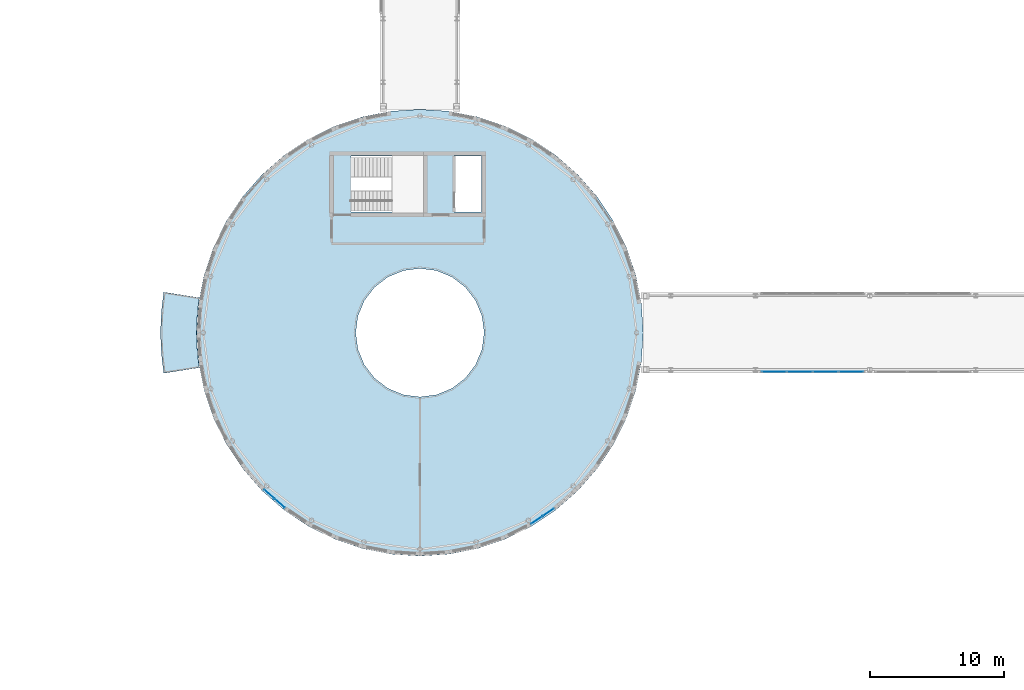
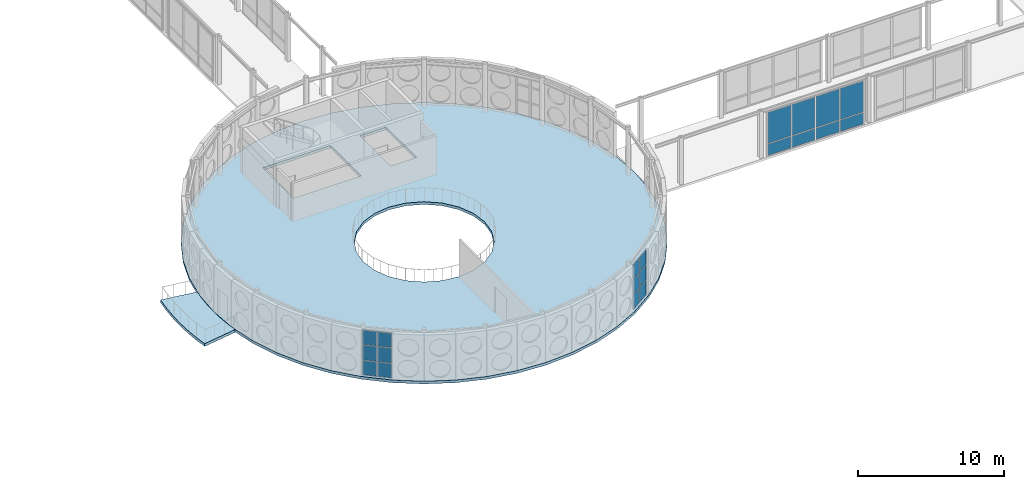
# One storey, part 122 of 165: 20 plates, 2 slabs, 3 elements without a shape of their own.
"""IFC4 building model written with IfcOpenShell, lengths in metres."""

from ifc_helpers import new_model, si_unit, direction, frame, origin, origin_2d, place, context, subcontext, project, spatial, polyline, rectangle, outline, extrude, material, layer, layer_set, type_object, element, aggregate, save


model = new_model("IFC4")

# Units and contexts
model_context = context("Model", 3, precision=1e-05, world=origin(), true_north=direction((0.0, 1.0)))
body_context = subcontext(model_context, "Body", "Model", "MODEL_VIEW")
ifc_project = project(units=[si_unit("LENGTHUNIT", "METRE"), si_unit("AREAUNIT", "SQUARE_METRE"), si_unit("VOLUMEUNIT", "CUBIC_METRE"), si_unit("PLANEANGLEUNIT", "RADIAN"), si_unit("MASSUNIT", "GRAM", prefix="KILO")], contexts=[model_context])

# Site, building, storey
site_placement = place(None, origin())
site = spatial("IfcSite", under=ifc_project, at=site_placement, CompositionType="ELEMENT")
building_placement = place(site_placement, origin())
building = spatial("IfcBuilding", under=site, at=building_placement, Name="Montecoro Central Library", CompositionType="ELEMENT")
storey_placement = place(building_placement, frame((0.0, 0.0, 5.10009765625)))
storey = spatial("IfcBuildingStorey", under=building, at=storey_placement, Name="L01", CompositionType="ELEMENT", Elevation=5.10009765625)

# Curtain wall, plates
ifc_material_1 = material(Name="Bronze-anodised aluminium and low-E glazing", Category="aluminium")
ifc_layer_1 = layer(ifc_material_1, 0.159912109375)
ifc_layer_set_1 = layer_set([ifc_layer_1], Name="Bronze-anodised aluminium and low-E glazing")
curtain_wall_type_1 = type_object("IfcCurtainWallType", Name="CWT-003", PredefinedType="NOTDEFINED", material=ifc_layer_set_1)
curtain_wall_1_placement = place(storey_placement, origin())
curtain_wall_1 = element("IfcCurtainWall", 1, at=curtain_wall_1_placement, inside=storey, type_object=curtain_wall_type_1, Name="V1-L01-CW-31", PredefinedType="NOTDEFINED")
ifc_material_2 = material(Name="Laminated low-E double glazing", Category="glass")
ifc_layer_2 = layer(ifc_material_2, 0.02587890625)
ifc_layer_set_2 = layer_set([ifc_layer_2], Name="Laminated low-E double glazing")
plate_type = type_object("IfcPlateType", Name="CWP-GLZ-01", PredefinedType="CURTAIN_PANEL", material=ifc_layer_set_2)
plate_1_placement = place(storey_placement, frame((80.33935546875, 23.350341796875, 0.059814453125), z_axis=(0.0, 0.0, 1.0), x_axis=(0.751536059457, -0.659692012485, 0.0)))
plate_1 = element("IfcPlate", 2, at=plate_1_placement, type_object=plate_type, Name="CW-003 panel 1.1", PredefinedType="CURTAIN_PANEL", context=body_context, shape_type="SweptSolid", body=[
    extrude(rectangle(XDim=0.982421875, YDim=0.02587890625, at=origin_2d()), origin(), (0.0, 0.0, 1.0), 1.18994140625),
])
plate_2_placement = place(storey_placement, frame((80.33935546875, 23.350341796875, 1.31005859375), z_axis=(0.0, 0.0, 1.0), x_axis=(0.751536059457, -0.659692012485, 0.0)))
plate_2 = element("IfcPlate", 3, at=plate_2_placement, type_object=plate_type, Name="CW-003 panel 1.2", PredefinedType="CURTAIN_PANEL", context=body_context, shape_type="SweptSolid", body=[
    extrude(rectangle(XDim=0.982421875, YDim=0.02587890625, at=origin_2d()), origin(), (0.0, 0.0, 1.0), 1.239990234375),
])
plate_3_placement = place(storey_placement, frame((80.33935546875, 23.350341796875, 2.60986328125), z_axis=(0.0, 0.0, 1.0), x_axis=(0.751536059457, -0.659692012485, 0.0)))
plate_3 = element("IfcPlate", 4, at=plate_3_placement, type_object=plate_type, Name="CW-003 panel 1.3", PredefinedType="CURTAIN_PANEL", context=body_context, shape_type="SweptSolid", body=[
    extrude(rectangle(XDim=0.982421875, YDim=0.02587890625, at=origin_2d()), origin(), (0.0, 0.0, 1.0), 1.18505859375),
])
plate_4_placement = place(storey_placement, frame((81.122802734375, 22.66259765625, 0.059814453125), z_axis=(0.0, 0.0, 1.0), x_axis=(0.751536059457, -0.659692012485, 0.0)))
plate_4 = element("IfcPlate", 5, at=plate_4_placement, type_object=plate_type, Name="CW-003 panel 2.1", PredefinedType="CURTAIN_PANEL", context=body_context, shape_type="SweptSolid", body=[
    extrude(rectangle(XDim=0.982421875, YDim=0.02587890625, at=origin_2d()), origin(), (0.0, 0.0, 1.0), 1.18994140625),
])
plate_5_placement = place(storey_placement, frame((81.122802734375, 22.66259765625, 1.31005859375), z_axis=(0.0, 0.0, 1.0), x_axis=(0.751536059457, -0.659692012485, 0.0)))
plate_5 = element("IfcPlate", 6, at=plate_5_placement, type_object=plate_type, Name="CW-003 panel 2.2", PredefinedType="CURTAIN_PANEL", context=body_context, shape_type="SweptSolid", body=[
    extrude(rectangle(XDim=0.982421875, YDim=0.02587890625, at=origin_2d()), origin(), (0.0, 0.0, 1.0), 1.239990234375),
])
plate_6_placement = place(storey_placement, frame((81.122802734375, 22.66259765625, 2.60986328125), z_axis=(0.0, 0.0, 1.0), x_axis=(0.751536059457, -0.659692012485, 0.0)))
plate_6 = element("IfcPlate", 7, at=plate_6_placement, type_object=plate_type, Name="CW-003 panel 2.3", PredefinedType="CURTAIN_PANEL", context=body_context, shape_type="SweptSolid", body=[
    extrude(rectangle(XDim=0.982421875, YDim=0.02587890625, at=origin_2d()), origin(), (0.0, 0.0, 1.0), 1.18505859375),
])
aggregate(curtain_wall_1, [plate_1, plate_2, plate_3, plate_4, plate_5, plate_6])

curtain_wall_2_placement = place(storey_placement, origin())
curtain_wall_2 = element("IfcCurtainWall", 8, at=curtain_wall_2_placement, inside=storey, type_object=curtain_wall_type_1, Name="V1-L01-CW-41", PredefinedType="NOTDEFINED")
plate_7_placement = place(storey_placement, frame((100.3251953125, 21.403564453125, 0.059814453125), z_axis=(0.0, 0.0, 1.0), x_axis=(0.831116851291, 0.556097814687, 0.0)))
plate_7 = element("IfcPlate", 9, at=plate_7_placement, type_object=plate_type, Name="CW-003 panel 1.1", PredefinedType="CURTAIN_PANEL", context=body_context, shape_type="SweptSolid", body=[
    extrude(rectangle(XDim=0.982666015625, YDim=0.02587890625, at=origin_2d()), origin(), (0.0, 0.0, 1.0), 1.18994140625),
])
plate_8_placement = place(storey_placement, frame((100.3251953125, 21.403564453125, 1.31005859375), z_axis=(0.0, 0.0, 1.0), x_axis=(0.831116851291, 0.556097814687, 0.0)))
plate_8 = element("IfcPlate", 10, at=plate_8_placement, type_object=plate_type, Name="CW-003 panel 1.2", PredefinedType="CURTAIN_PANEL", context=body_context, shape_type="SweptSolid", body=[
    extrude(rectangle(XDim=0.982666015625, YDim=0.02587890625, at=origin_2d()), origin(), (0.0, 0.0, 1.0), 1.239990234375),
])
plate_9_placement = place(storey_placement, frame((100.3251953125, 21.403564453125, 2.60986328125), z_axis=(0.0, 0.0, 1.0), x_axis=(0.831116851291, 0.556097814687, 0.0)))
plate_9 = element("IfcPlate", 11, at=plate_9_placement, type_object=plate_type, Name="CW-003 panel 1.3", PredefinedType="CURTAIN_PANEL", context=body_context, shape_type="SweptSolid", body=[
    extrude(rectangle(XDim=0.982666015625, YDim=0.02587890625, at=origin_2d()), origin(), (0.0, 0.0, 1.0), 1.18505859375),
])
plate_10_placement = place(storey_placement, frame((101.19189453125, 21.9833984375, 0.059814453125), z_axis=(0.0, 0.0, 1.0), x_axis=(0.831116851291, 0.556097814687, 0.0)))
plate_10 = element("IfcPlate", 12, at=plate_10_placement, type_object=plate_type, Name="CW-003 panel 2.1", PredefinedType="CURTAIN_PANEL", context=body_context, shape_type="SweptSolid", body=[
    extrude(rectangle(XDim=0.982666015625, YDim=0.02587890625, at=origin_2d()), origin(), (0.0, 0.0, 1.0), 1.18994140625),
])
plate_11_placement = place(storey_placement, frame((101.19189453125, 21.9833984375, 1.31005859375), z_axis=(0.0, 0.0, 1.0), x_axis=(0.831116851291, 0.556097814687, 0.0)))
plate_11 = element("IfcPlate", 13, at=plate_11_placement, type_object=plate_type, Name="CW-003 panel 2.2", PredefinedType="CURTAIN_PANEL", context=body_context, shape_type="SweptSolid", body=[
    extrude(rectangle(XDim=0.982666015625, YDim=0.02587890625, at=origin_2d()), origin(), (0.0, 0.0, 1.0), 1.239990234375),
])
plate_12_placement = place(storey_placement, frame((101.19189453125, 21.9833984375, 2.60986328125), z_axis=(0.0, 0.0, 1.0), x_axis=(0.831116851291, 0.556097814687, 0.0)))
plate_12 = element("IfcPlate", 14, at=plate_12_placement, type_object=plate_type, Name="CW-003 panel 2.3", PredefinedType="CURTAIN_PANEL", context=body_context, shape_type="SweptSolid", body=[
    extrude(rectangle(XDim=0.982666015625, YDim=0.02587890625, at=origin_2d()), origin(), (0.0, 0.0, 1.0), 1.18505859375),
])
aggregate(curtain_wall_2, [plate_7, plate_8, plate_9, plate_10, plate_11, plate_12])

ifc_layer_3 = layer(ifc_material_1, 0.159912109375)
ifc_layer_set_3 = layer_set([ifc_layer_3], Name="Bronze-anodised aluminium and low-E glazing")
curtain_wall_type_2 = type_object("IfcCurtainWallType", Name="CWT-087", PredefinedType="NOTDEFINED", material=ifc_layer_set_3)
curtain_wall_3_placement = place(storey_placement, origin())
curtain_wall_3 = element("IfcCurtainWall", 15, at=curtain_wall_3_placement, inside=storey, type_object=curtain_wall_type_2, Name="BR-SE-L01-CW-S1", PredefinedType="NOTDEFINED")
plate_13_placement = place(storey_placement, frame((118.0576171875, 32.47998046875, 0.059814453125), z_axis=(0.0, 0.0, 1.0), x_axis=(1.0, 0.0, 0.0)))
plate_13 = element("IfcPlate", 16, at=plate_13_placement, type_object=plate_type, Name="CW-087 panel 1.1", PredefinedType="CURTAIN_PANEL", context=body_context, shape_type="SweptSolid", body=[
    extrude(rectangle(XDim=1.8349609375, YDim=0.02587890625, at=origin_2d()), origin(), (0.0, 0.0, 1.0), 0.9599609375),
])
plate_14_placement = place(storey_placement, frame((118.0576171875, 32.47998046875, 1.080078125), z_axis=(0.0, 0.0, 1.0), x_axis=(1.0, 0.0, 0.0)))
plate_14 = element("IfcPlate", 17, at=plate_14_placement, type_object=plate_type, Name="CW-087 panel 1.2", PredefinedType="CURTAIN_PANEL", context=body_context, shape_type="SweptSolid", body=[
    extrude(rectangle(XDim=1.8349609375, YDim=0.02587890625, at=origin_2d()), origin(), (0.0, 0.0, 1.0), 2.590087890625),
])
plate_15_placement = place(storey_placement, frame((119.967529296875, 32.47998046875, 0.059814453125), z_axis=(0.0, 0.0, 1.0), x_axis=(1.0, 0.0, 0.0)))
plate_15 = element("IfcPlate", 18, at=plate_15_placement, type_object=plate_type, Name="CW-087 panel 2.1", PredefinedType="CURTAIN_PANEL", context=body_context, shape_type="SweptSolid", body=[
    extrude(rectangle(XDim=1.864990234375, YDim=0.02587890625, at=origin_2d()), origin(), (0.0, 0.0, 1.0), 0.9599609375),
])
plate_16_placement = place(storey_placement, frame((119.967529296875, 32.47998046875, 1.080078125), z_axis=(0.0, 0.0, 1.0), x_axis=(1.0, 0.0, 0.0)))
plate_16 = element("IfcPlate", 19, at=plate_16_placement, type_object=plate_type, Name="CW-087 panel 2.2", PredefinedType="CURTAIN_PANEL", context=body_context, shape_type="SweptSolid", body=[
    extrude(rectangle(XDim=1.864990234375, YDim=0.02587890625, at=origin_2d()), origin(), (0.0, 0.0, 1.0), 2.590087890625),
])
plate_17_placement = place(storey_placement, frame((121.892578125, 32.47998046875, 0.059814453125), z_axis=(0.0, 0.0, 1.0), x_axis=(1.0, 0.0, 0.0)))
plate_17 = element("IfcPlate", 20, at=plate_17_placement, type_object=plate_type, Name="CW-087 panel 3.1", PredefinedType="CURTAIN_PANEL", context=body_context, shape_type="SweptSolid", body=[
    extrude(rectangle(XDim=1.864990234375, YDim=0.02587890625, at=origin_2d()), origin(), (0.0, 0.0, 1.0), 0.9599609375),
])
plate_18_placement = place(storey_placement, frame((121.892578125, 32.47998046875, 1.080078125), z_axis=(0.0, 0.0, 1.0), x_axis=(1.0, 0.0, 0.0)))
plate_18 = element("IfcPlate", 21, at=plate_18_placement, type_object=plate_type, Name="CW-087 panel 3.2", PredefinedType="CURTAIN_PANEL", context=body_context, shape_type="SweptSolid", body=[
    extrude(rectangle(XDim=1.864990234375, YDim=0.02587890625, at=origin_2d()), origin(), (0.0, 0.0, 1.0), 2.590087890625),
])
plate_19_placement = place(storey_placement, frame((123.802490234375, 32.47998046875, 0.059814453125), z_axis=(0.0, 0.0, 1.0), x_axis=(1.0, 0.0, 0.0)))
plate_19 = element("IfcPlate", 22, at=plate_19_placement, type_object=plate_type, Name="CW-087 panel 4.1", PredefinedType="CURTAIN_PANEL", context=body_context, shape_type="SweptSolid", body=[
    extrude(rectangle(XDim=1.8349609375, YDim=0.02587890625, at=origin_2d()), origin(), (0.0, 0.0, 1.0), 0.9599609375),
])
plate_20_placement = place(storey_placement, frame((123.802490234375, 32.47998046875, 1.080078125), z_axis=(0.0, 0.0, 1.0), x_axis=(1.0, 0.0, 0.0)))
plate_20 = element("IfcPlate", 23, at=plate_20_placement, type_object=plate_type, Name="CW-087 panel 4.2", PredefinedType="CURTAIN_PANEL", context=body_context, shape_type="SweptSolid", body=[
    extrude(rectangle(XDim=1.8349609375, YDim=0.02587890625, at=origin_2d()), origin(), (0.0, 0.0, 1.0), 2.590087890625),
])
aggregate(curtain_wall_3, [plate_13, plate_14, plate_15, plate_16, plate_17, plate_18, plate_19, plate_20])

# Slabs
ifc_material_3 = material(Name="Concrete C32/40", Category="concrete")
ifc_layer_4 = layer(ifc_material_3, 0.22509765625)
ifc_layer_set_4 = layer_set([ifc_layer_4], Name="Concrete C32/40")
slab_type_1 = type_object("IfcSlabType", Name="SL-FLR-225", PredefinedType="FLOOR", material=ifc_layer_set_4)
slab_1_placement = place(storey_placement, frame((0.0, 0.0, -0.22509765625)))
element("IfcSlab", 24, at=slab_1_placement, inside=storey, type_object=slab_type_1, Name="V1-L01-SLAB", PredefinedType="FLOOR", context=body_context, shape_type="SweptSolid", body=[
    extrude(outline(polyline([(108.280029296875, 35.39990234375), (108.136962890625, 37.576904296875), (107.7119140625, 39.717041015625), (107.010009765625, 41.782958984375), (106.044921875, 43.739990234375), (104.8330078125, 45.553955078125), (103.39501953125, 47.195068359375), (101.75390625, 48.633056640625), (99.93994140625, 49.844970703125), (97.98291015625, 50.81005859375), (95.9169921875, 51.511962890625), (93.777099609375, 51.93701171875), (91.60009765625, 52.080078125), (89.423095703125, 51.93701171875), (87.282958984375, 51.511962890625), (85.217041015625, 50.81005859375), (83.260009765625, 49.844970703125), (81.446044921875, 48.633056640625), (79.804931640625, 47.195068359375), (78.366943359375, 45.553955078125), (77.155029296875, 43.739990234375), (76.18994140625, 41.782958984375), (75.488037109375, 39.717041015625), (75.06298828125, 37.576904296875), (74.919921875, 35.39990234375), (75.06298828125, 33.222900390625), (75.488037109375, 31.0830078125), (76.18994140625, 29.01708984375), (77.155029296875, 27.06005859375), (78.366943359375, 25.24609375), (79.804931640625, 23.60498046875), (81.446044921875, 22.1669921875), (83.260009765625, 20.955078125), (85.217041015625, 19.989990234375), (87.282958984375, 19.2880859375), (89.423095703125, 18.863037109375), (91.60009765625, 18.719970703125), (93.777099609375, 18.863037109375), (95.9169921875, 19.2880859375), (97.98291015625, 19.989990234375), (99.93994140625, 20.955078125), (101.75390625, 22.1669921875), (103.39501953125, 23.60498046875), (104.8330078125, 25.24609375), (106.044921875, 27.06005859375), (107.010009765625, 29.01708984375), (107.7119140625, 31.0830078125), (108.136962890625, 33.222900390625), (108.280029296875, 35.39990234375)]), holes=[polyline([(86.4599609375, 48.60009765625), (91.800048828125, 48.60009765625), (91.800048828125, 44.39990234375), (86.4599609375, 44.39990234375), (86.4599609375, 48.60009765625)]), polyline([(94.14990234375, 48.60009765625), (96.199951171875, 48.60009765625), (96.199951171875, 44.39990234375), (94.14990234375, 44.39990234375), (94.14990234375, 48.60009765625)]), polyline([(96.236083984375, 34.157958984375), (95.757080078125, 33.0), (94.993896484375, 32.006103515625), (94.0, 31.242919921875), (92.842041015625, 30.763916015625), (91.60009765625, 30.60009765625), (90.35791015625, 30.763916015625), (89.199951171875, 31.242919921875), (88.2060546875, 32.006103515625), (87.443115234375, 33.0), (86.964111328125, 34.157958984375), (86.800048828125, 35.39990234375), (86.964111328125, 36.64208984375), (87.443115234375, 37.800048828125), (88.2060546875, 38.7939453125), (89.199951171875, 39.556884765625), (90.35791015625, 40.035888671875), (91.60009765625, 40.199951171875), (92.842041015625, 40.035888671875), (94.0, 39.556884765625), (94.993896484375, 38.7939453125), (95.757080078125, 37.800048828125), (96.236083984375, 36.64208984375), (96.39990234375, 35.39990234375), (96.236083984375, 34.157958984375)])]), origin(), (0.0, 0.0, 1.0), 0.22509765625),
])
ifc_material_4 = material(Name="Planted garden concrete C32/40", Category="concrete")
ifc_layer_5 = layer(ifc_material_4, 0.22998046875)
ifc_layer_set_5 = layer_set([ifc_layer_5], Name="Planted garden concrete C32/40")
slab_type_2 = type_object("IfcSlabType", Name="SL-TER-230", PredefinedType="FLOOR", material=ifc_layer_set_5)
slab_2_placement = place(storey_placement, frame((0.0, 0.0, -0.22998046875)))
element("IfcSlab", 25, at=slab_2_placement, inside=storey, type_object=slab_type_2, Name="West Drum Reading Terrace", PredefinedType="FLOOR", context=body_context, shape_type="SweptSolid", body=[
    extrude(outline(polyline([(75.125, 38.009033203125), (75.010986328125, 37.14404296875), (74.943115234375, 36.27294921875), (74.919921875, 35.39990234375), (74.943115234375, 34.527099609375), (75.010986328125, 33.656005859375), (75.125, 32.791015625), (72.468017578125, 32.3701171875), (72.3359375, 33.375), (72.257080078125, 34.385986328125), (72.22998046875, 35.39990234375), (72.257080078125, 36.4140625), (72.3359375, 37.425048828125), (72.468017578125, 38.429931640625), (75.125, 38.009033203125)])), origin(), (0.0, 0.0, 1.0), 0.22998046875),
])

save(model, "model.ifc")
